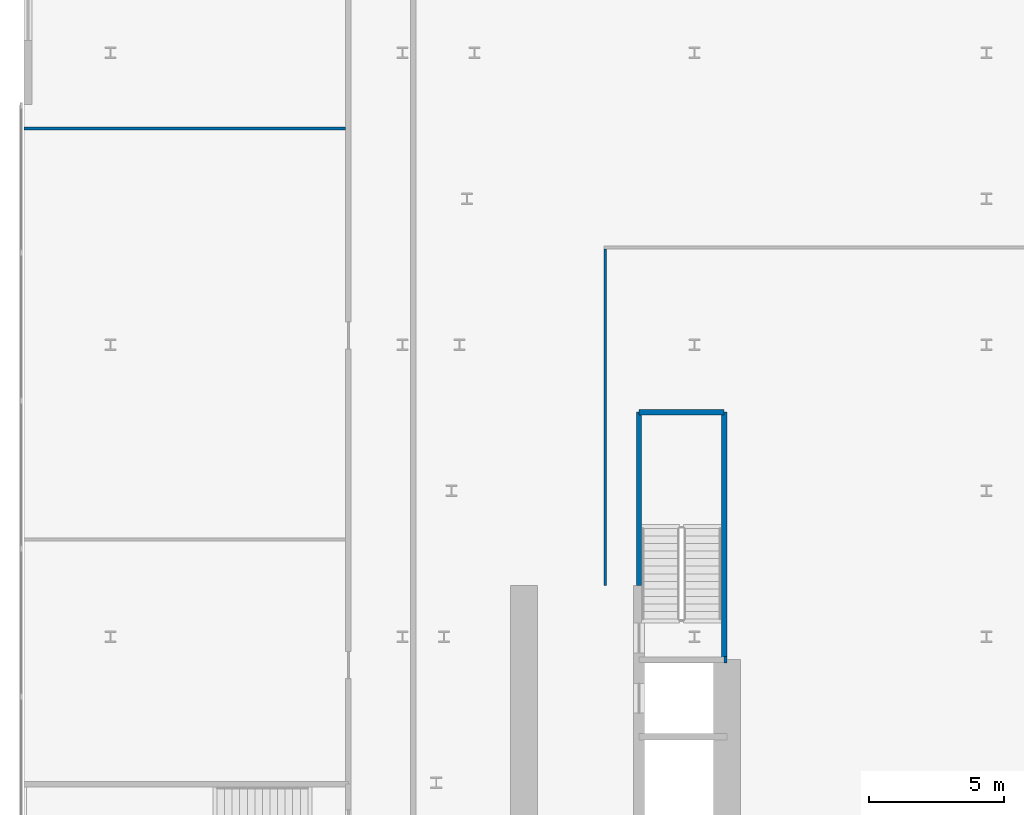
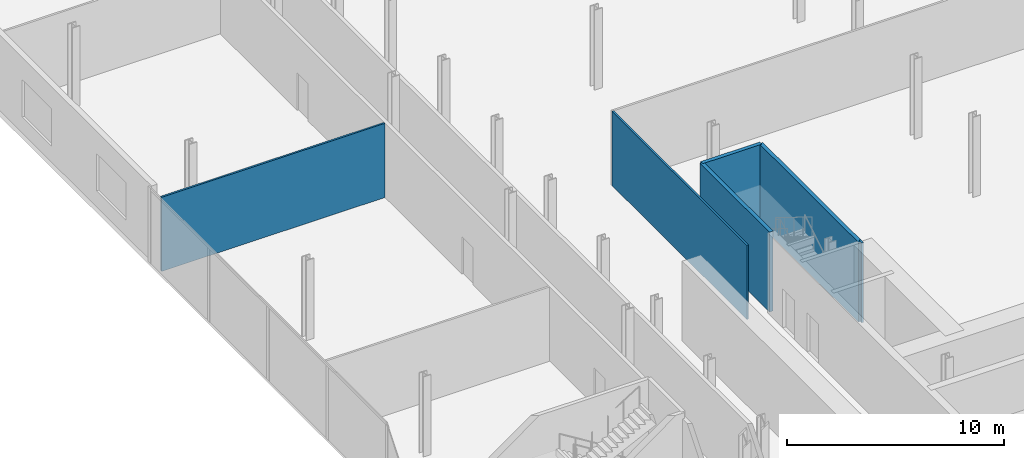
# One storey, part 30 of 47: 6 walls.
"""IFC4 building model written with IfcOpenShell, lengths in metres."""

from ifc_helpers import new_model, si_unit, direction, frame, frame_2d, origin, place, context, subcontext, project, spatial, rectangle, extrude, material, layer, layer_set, type_object, element, save


model = new_model("IFC4")

# Units and contexts
model_context = context("Model", 3, precision=1e-05, world=origin(), true_north=direction((0.0, 1.0)))
body_context = subcontext(model_context, "Body", "Model", "MODEL_VIEW")
ifc_project = project(units=[si_unit("LENGTHUNIT", "METRE"), si_unit("AREAUNIT", "SQUARE_METRE"), si_unit("VOLUMEUNIT", "CUBIC_METRE"), si_unit("PLANEANGLEUNIT", "RADIAN"), si_unit("MASSUNIT", "GRAM", prefix="KILO")], contexts=[model_context])

# Site, building, storey
site_placement = place(None, origin())
site = spatial("IfcSite", under=ifc_project, at=site_placement, CompositionType="ELEMENT")
building_placement = place(site_placement, origin())
building = spatial("IfcBuilding", under=site, at=building_placement, Name="Kheshtan School and Residences Tower", CompositionType="ELEMENT")
storey_placement = place(building_placement, frame((0.0, 0.0, 21.5)))
storey = spatial("IfcBuildingStorey", under=building, at=storey_placement, Name="L04", CompositionType="ELEMENT", Elevation=21.5)

# Walls
ifc_material_1 = material(Name="Gypsum board on steel studs", Category="steel")
ifc_layer_1 = layer(ifc_material_1, 0.10009765625)
ifc_layer_set_1 = layer_set([ifc_layer_1], Name="Gypsum partition 100")
wall_type_1 = type_object("IfcWallType", Name="Gypsum partition 100", PredefinedType="PARTITIONING", material=ifc_layer_set_1)
wall_1_placement = place(storey_placement, frame((12.0, 64.39990234375, 0.0), z_axis=(0.0, 0.0, 1.0), x_axis=(1.0, 0.0, 0.0)))
element("IfcWall", 1, at=wall_1_placement, inside=storey, type_object=wall_type_1, Name="Partition L04-005", PredefinedType="PARTITIONING", context=body_context, shape_type="SweptSolid", body=[
    extrude(rectangle(XDim=11.89990234375, YDim=0.10009765625, at=frame_2d((5.949951171875, 0.0))), origin(), (0.0, 0.0, 1.0), 4.179931640625),
])
wall_2_placement = place(storey_placement, frame((33.5, 47.5, 0.0), z_axis=(0.0, 0.0, 1.0), x_axis=(0.0, 1.0, 0.0)))
element("IfcWall", 2, at=wall_2_placement, inside=storey, type_object=wall_type_1, Name="Partition L04-016", PredefinedType="PARTITIONING", context=body_context, shape_type="SweptSolid", body=[
    extrude(rectangle(XDim=12.449951171875, YDim=0.10009765625, at=frame_2d((6.22509765625, 0.0))), origin(), (0.0, 0.0, 1.0), 4.179931640625),
])
ifc_material_2 = material(Name="Fire-board shaft wall system")
ifc_layer_2 = layer(ifc_material_2, 0.25)
ifc_layer_set_2 = layer_set([ifc_layer_2], Name="Shaft lining wall 250")
wall_type_2 = type_object("IfcWallType", Name="Shaft lining wall 250", PredefinedType="PARTITIONING", material=ifc_layer_set_2)
wall_3_placement = place(storey_placement, frame((37.89990234375, 44.75, 0.0), z_axis=(0.0, 0.0, 1.0), x_axis=(1.0, 0.0, 0.0)))
element("IfcWall", 3, at=wall_3_placement, inside=storey, type_object=wall_type_2, Name="Shaft lining wall", PredefinedType="PARTITIONING", context=body_context, shape_type="SweptSolid", body=[
    extrude(rectangle(XDim=0.10009765625, YDim=0.25, at=frame_2d((0.050048828125, 0.0))), origin(), (0.0, 0.0, 1.0), 4.5),
])
ifc_material_3 = material(Name="Concrete C40/50", Category="concrete")
ifc_layer_3 = layer(ifc_material_3, 0.199951171875)
ifc_layer_set_3 = layer_set([ifc_layer_3], Name="Stair enclosure wall 200 Concrete C40/50")
wall_type_3 = type_object("IfcWallType", Name="Stair enclosure wall 200 Concrete C40/50", PredefinedType="SHEAR", material=ifc_layer_set_3)
wall_4_placement = place(storey_placement, frame((34.75, 53.909912109375, 0.0), z_axis=(0.0, 0.0, 1.0), x_axis=(1.0, 0.0, 0.0)))
element("IfcWall", 4, at=wall_4_placement, inside=storey, type_object=wall_type_3, Name="Stair enclosure wall ST2", PredefinedType="SHEAR", context=body_context, shape_type="SweptSolid", body=[
    extrude(rectangle(XDim=3.14990234375, YDim=0.199951171875, at=frame_2d((1.574951171875, 0.0))), origin(), (0.0, 0.0, 1.0), 4.5),
])
wall_5_placement = place(storey_placement, frame((34.75, 47.5, 0.0), z_axis=(0.0, 0.0, 1.0), x_axis=(0.0, 1.0, 0.0)))
element("IfcWall", 5, at=wall_5_placement, inside=storey, type_object=wall_type_3, Name="Stair enclosure wall ST2", PredefinedType="SHEAR", context=body_context, shape_type="SweptSolid", body=[
    extrude(rectangle(XDim=6.409912109375, YDim=0.199951171875, at=frame_2d((3.205078125, 0.0))), origin(), (0.0, 0.0, 1.0), 4.5),
])
wall_6_placement = place(storey_placement, frame((37.89990234375, 44.75, 0.0), z_axis=(0.0, 0.0, 1.0), x_axis=(0.0, 1.0, 0.0)))
element("IfcWall", 6, at=wall_6_placement, inside=storey, type_object=wall_type_3, Name="Stair enclosure wall ST2", PredefinedType="SHEAR", context=body_context, shape_type="SweptSolid", body=[
    extrude(rectangle(XDim=9.159912109375, YDim=0.199951171875, at=frame_2d((4.580078125, 0.0))), origin(), (0.0, 0.0, 1.0), 4.5),
])

save(model, "model.ifc")
